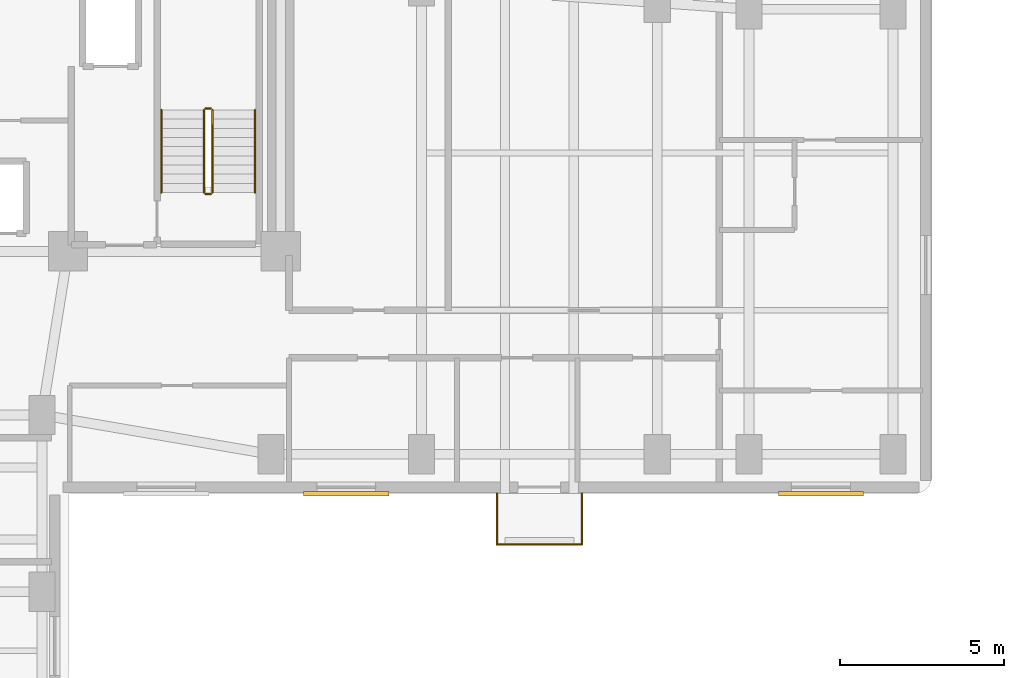
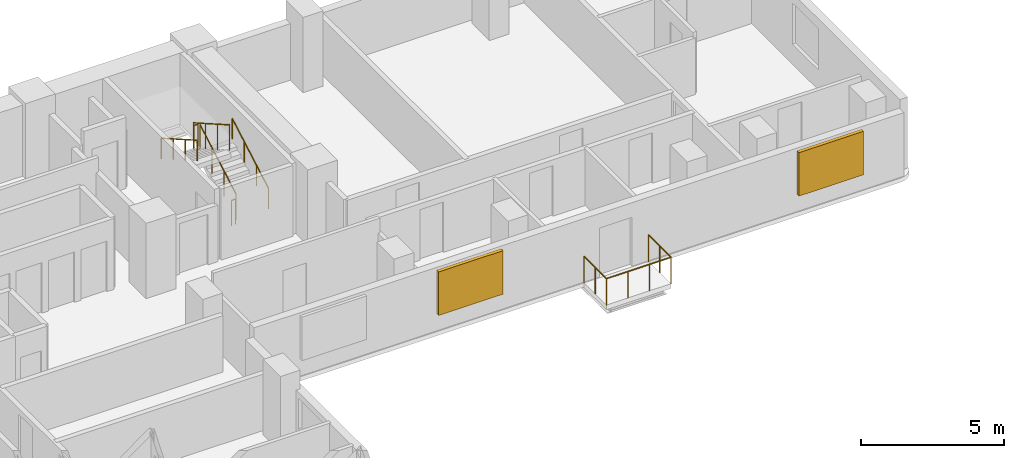
# One storey, part 8 of 9: 9 railings, 2 shading devices.
"""IFC4 building model written with IfcOpenShell, lengths in metres."""

from ifc_helpers import new_model, si_unit, direction, frame, origin, origin_2d, place, context, subcontext, project, spatial, rectangle, circle, extrude, material, layer, layer_set, type_object, element, save


model = new_model("IFC4")

# Units and contexts
model_context = context("Model", 3, precision=1e-05, world=origin(), true_north=direction((0.0, 1.0)))
body_context = subcontext(model_context, "Body", "Model", "MODEL_VIEW")
ifc_project = project(units=[si_unit("LENGTHUNIT", "METRE"), si_unit("AREAUNIT", "SQUARE_METRE"), si_unit("VOLUMEUNIT", "CUBIC_METRE"), si_unit("PLANEANGLEUNIT", "RADIAN"), si_unit("MASSUNIT", "GRAM", prefix="KILO")], contexts=[model_context])

# Site, building, storey
site_placement = place(None, origin())
site = spatial("IfcSite", under=ifc_project, at=site_placement, CompositionType="ELEMENT")
building_placement = place(site_placement, origin())
building = spatial("IfcBuilding", under=site, at=building_placement, Name="Kuzgunbayir Cultural Tower", CompositionType="ELEMENT")
storey_placement = place(building_placement, frame((0.0, 0.0, 89.800048828125)))
storey = spatial("IfcBuildingStorey", under=building, at=storey_placement, Name="L25", CompositionType="ELEMENT", Elevation=89.800048828125)

# Railings
ifc_material_1 = material(Name="Laminated Glass and Stainless Steel", Category="steel")
ifc_layer_1 = layer(ifc_material_1, 0.080078125)
ifc_layer_set_1 = layer_set([ifc_layer_1], Name="Laminated Glass and Stainless Steel")
railing_type_1 = type_object("IfcRailingType", Name="RLG-BAL-115", PredefinedType="BALUSTRADE", material=ifc_layer_set_1)
railing_1_placement = place(storey_placement, frame((33.5, 26.39990234375, 0.0)))
element("IfcRailing", 1, at=railing_1_placement, inside=storey, type_object=railing_type_1, Name="L25 Balcony Guard BAL-L25-WB2 Segment 1", PredefinedType="BALUSTRADE", context=body_context, shape_type="SweptSolid", body=[
    extrude(circle(Radius=0.02392578125, at=origin_2d()), frame((0.0, 0.0, 1.1259765625), z_axis=(0.0, -1.0, 0.0), x_axis=(1.0, 0.0, 0.0)), (0.0, 0.0, 1.0), 1.559814453125),
    extrude(circle(Radius=0.02099609375, at=origin_2d()), origin(), (0.0, 0.0, 1.0), 1.101806640625),
    extrude(circle(Radius=0.02099609375, at=origin_2d()), frame((0.0, -0.77978515625, 0.0)), (0.0, 0.0, 1.0), 1.101806640625),
    extrude(circle(Radius=0.02099609375, at=origin_2d()), frame((0.0, -1.559814453125, 0.0)), (0.0, 0.0, 1.0), 1.101806640625),
])
railing_2_placement = place(storey_placement, frame((33.5, 24.840087890625, 0.0)))
element("IfcRailing", 2, at=railing_2_placement, inside=storey, type_object=railing_type_1, Name="L25 Balcony Guard BAL-L25-WB2 Segment 2", PredefinedType="BALUSTRADE", context=body_context, shape_type="SweptSolid", body=[
    extrude(circle(Radius=0.02392578125, at=origin_2d()), frame((0.0, 0.0, 1.1259765625), z_axis=(1.0, 0.0, 0.0), x_axis=(0.0, 1.0, 0.0)), (0.0, 0.0, 1.0), 2.60009765625),
    extrude(circle(Radius=0.02099609375, at=origin_2d()), origin(), (0.0, 0.0, 1.0), 1.101806640625),
    extrude(circle(Radius=0.02099609375, at=origin_2d()), frame((0.86669921875, 0.0, 0.0)), (0.0, 0.0, 1.0), 1.101806640625),
    extrude(circle(Radius=0.02099609375, at=origin_2d()), frame((1.7333984375, 0.0, 0.0)), (0.0, 0.0, 1.0), 1.101806640625),
    extrude(circle(Radius=0.02099609375, at=origin_2d()), frame((2.60009765625, 0.0, 0.0)), (0.0, 0.0, 1.0), 1.101806640625),
])
railing_3_placement = place(storey_placement, frame((36.10009765625, 24.840087890625, 0.0)))
element("IfcRailing", 3, at=railing_3_placement, inside=storey, type_object=railing_type_1, Name="L25 Balcony Guard BAL-L25-WB2 Segment 3", PredefinedType="BALUSTRADE", context=body_context, shape_type="SweptSolid", body=[
    extrude(circle(Radius=0.02392578125, at=origin_2d()), frame((0.0, 0.0, 1.1259765625), z_axis=(0.0, 1.0, 0.0), x_axis=(-1.0, 0.0, 0.0)), (0.0, 0.0, 1.0), 1.559814453125),
    extrude(circle(Radius=0.02099609375, at=origin_2d()), origin(), (0.0, 0.0, 1.0), 1.101806640625),
    extrude(circle(Radius=0.02099609375, at=origin_2d()), frame((0.0, 0.77978515625, 0.0)), (0.0, 0.0, 1.0), 1.101806640625),
    extrude(circle(Radius=0.02099609375, at=origin_2d()), frame((0.0, 1.559814453125, 0.0)), (0.0, 0.0, 1.0), 1.101806640625),
])
ifc_material_2 = material(Name="Brushed Stainless Steel", Category="steel")
ifc_layer_2 = layer(ifc_material_2, 0.050048828125)
ifc_layer_set_2 = layer_set([ifc_layer_2], Name="Brushed Stainless Steel")
railing_type_2 = type_object("IfcRailingType", Name="RLG-STAIR-HANDRAIL", PredefinedType="HANDRAIL", material=ifc_layer_set_2)
railing_4_placement = place(storey_placement, frame((26.110107421875, 35.60009765625, 0.159912109375)))
element("IfcRailing", 4, at=railing_4_placement, inside=storey, type_object=railing_type_2, Name="L25 ST-2 stair handrail 1", PredefinedType="HANDRAIL", context=body_context, shape_type="SweptSolid", body=[
    extrude(circle(Radius=0.02392578125, at=origin_2d()), frame((0.0, 0.0, 0.8759765625), z_axis=(0.0, 0.868253494771, 0.496120820787), x_axis=(-1.0, 0.0, 0.0)), (0.0, 0.0, 1.0), 2.90234375),
    extrude(circle(Radius=0.02099609375, at=origin_2d()), origin(), (0.0, 0.0, 1.0), 0.851806640625),
    extrude(circle(Radius=0.02099609375, at=origin_2d()), frame((0.0, 0.840087890625, 0.47998046875)), (0.0, 0.0, 1.0), 0.851806640625),
    extrude(circle(Radius=0.02099609375, at=origin_2d()), frame((0.0, 1.679931640625, 0.9599609375)), (0.0, 0.0, 1.0), 0.851806640625),
    extrude(circle(Radius=0.02099609375, at=origin_2d()), frame((0.0, 2.52001953125, 1.43994140625)), (0.0, 0.0, 1.0), 0.851806640625),
])
railing_5_placement = place(storey_placement, frame((23.25, 38.1201171875, 1.760009765625)))
element("IfcRailing", 5, at=railing_5_placement, inside=storey, type_object=railing_type_2, Name="L25 ST-2 stair handrail 2", PredefinedType="HANDRAIL", context=body_context, shape_type="SweptSolid", body=[
    extrude(circle(Radius=0.02392578125, at=origin_2d()), frame((0.0, 0.0, 0.8759765625), z_axis=(0.0, -0.868253494771, 0.496120820787), x_axis=(1.0, 0.0, 0.0)), (0.0, 0.0, 1.0), 2.90234375),
    extrude(circle(Radius=0.02099609375, at=origin_2d()), origin(), (0.0, 0.0, 1.0), 0.851806640625),
    extrude(circle(Radius=0.02099609375, at=origin_2d()), frame((0.0, -0.840087890625, 0.47998046875)), (0.0, 0.0, 1.0), 0.851806640625),
    extrude(circle(Radius=0.02099609375, at=origin_2d()), frame((0.0, -1.679931640625, 0.9599609375)), (0.0, 0.0, 1.0), 0.851806640625),
    extrude(circle(Radius=0.02099609375, at=origin_2d()), frame((0.0, -2.52001953125, 1.43994140625)), (0.0, 0.0, 1.0), 0.851806640625),
])
ifc_material_3 = material(Name="Painted Steel Balustrade", Category="steel")
ifc_layer_3 = layer(ifc_material_3, 0.06005859375)
ifc_layer_set_3 = layer_set([ifc_layer_3], Name="Painted Steel Balustrade")
railing_type_3 = type_object("IfcRailingType", Name="RLG-WELL-GUARD", PredefinedType="GUARDRAIL", material=ifc_layer_set_3)
railing_6_placement = place(storey_placement, frame((24.81005859375, 35.60009765625, 0.159912109375)))
element("IfcRailing", 6, at=railing_6_placement, inside=storey, type_object=railing_type_3, Name="L25 ST-2 stair guard 1", PredefinedType="GUARDRAIL", context=body_context, shape_type="SweptSolid", body=[
    extrude(circle(Radius=0.02392578125, at=origin_2d()), frame((0.0, 0.0, 1.076171875), z_axis=(0.0, 0.868253494771, 0.496120820787), x_axis=(-1.0, 0.0, 0.0)), (0.0, 0.0, 1.0), 2.90234375),
    extrude(circle(Radius=0.02099609375, at=origin_2d()), origin(), (0.0, 0.0, 1.0), 1.052001953125),
    extrude(circle(Radius=0.02099609375, at=origin_2d()), frame((0.0, 0.840087890625, 0.47998046875)), (0.0, 0.0, 1.0), 1.052001953125),
    extrude(circle(Radius=0.02099609375, at=origin_2d()), frame((0.0, 1.679931640625, 0.9599609375)), (0.0, 0.0, 1.0), 1.052001953125),
    extrude(circle(Radius=0.02099609375, at=origin_2d()), frame((0.0, 2.52001953125, 1.43994140625)), (0.0, 0.0, 1.0), 1.052001953125),
])
railing_7_placement = place(storey_placement, frame((24.760009765625, 38.169921875, 1.599853515625)))
element("IfcRailing", 7, at=railing_7_placement, inside=storey, type_object=railing_type_3, Name="L25 ST-2 stair guard 2", PredefinedType="GUARDRAIL", context=body_context, shape_type="SweptSolid", body=[
    extrude(circle(Radius=0.02392578125, at=origin_2d()), frame((0.0, 0.0, 1.076171875), z_axis=(-1.0, 0.0, 0.0), x_axis=(0.0, -1.0, 0.0)), (0.0, 0.0, 1.0), 0.159912109375),
    extrude(circle(Radius=0.02099609375, at=origin_2d()), origin(), (0.0, 0.0, 1.0), 1.052001953125),
    extrude(circle(Radius=0.02099609375, at=origin_2d()), frame((-0.159912109375, 0.0, 0.0)), (0.0, 0.0, 1.0), 1.052001953125),
])
railing_8_placement = place(storey_placement, frame((24.550048828125, 38.1201171875, 1.760009765625)))
element("IfcRailing", 8, at=railing_8_placement, inside=storey, type_object=railing_type_3, Name="L25 ST-2 stair guard 3", PredefinedType="GUARDRAIL", context=body_context, shape_type="SweptSolid", body=[
    extrude(circle(Radius=0.02392578125, at=origin_2d()), frame((0.0, 0.0, 1.076171875), z_axis=(0.0, -0.868253494771, 0.496120820787), x_axis=(1.0, 0.0, 0.0)), (0.0, 0.0, 1.0), 2.90234375),
    extrude(circle(Radius=0.02099609375, at=origin_2d()), origin(), (0.0, 0.0, 1.0), 1.052001953125),
    extrude(circle(Radius=0.02099609375, at=origin_2d()), frame((0.0, -0.840087890625, 0.47998046875)), (0.0, 0.0, 1.0), 1.052001953125),
    extrude(circle(Radius=0.02099609375, at=origin_2d()), frame((0.0, -1.679931640625, 0.9599609375)), (0.0, 0.0, 1.0), 1.052001953125),
    extrude(circle(Radius=0.02099609375, at=origin_2d()), frame((0.0, -2.52001953125, 1.43994140625)), (0.0, 0.0, 1.0), 1.052001953125),
])
railing_9_placement = place(storey_placement, frame((24.760009765625, 35.550048828125, 0.0)))
element("IfcRailing", 9, at=railing_9_placement, inside=storey, type_object=railing_type_3, Name="L25 ST-2 stair guard 4", PredefinedType="GUARDRAIL", context=body_context, shape_type="SweptSolid", body=[
    extrude(circle(Radius=0.02392578125, at=origin_2d()), frame((0.0, 0.0, 1.076171875), z_axis=(-1.0, 0.0, 0.0), x_axis=(0.0, -1.0, 0.0)), (0.0, 0.0, 1.0), 0.159912109375),
    extrude(circle(Radius=0.02099609375, at=origin_2d()), origin(), (0.0, 0.0, 1.0), 1.052001953125),
    extrude(circle(Radius=0.02099609375, at=origin_2d()), frame((-0.159912109375, 0.0, 0.0)), (0.0, 0.0, 1.0), 1.052001953125),
])

# Shading devices
ifc_material_4 = material(Name="Perforated Bronze-Anodised Aluminium", Category="aluminium")
shading_device_type = type_object("IfcShadingDeviceType", Name="SHD-SOLAR-BRONZE", PredefinedType="JALOUSIE", material=ifc_material_4)
for number, where, z_axis, x_axis, name in (
    (10, (28.89990234375, 26.389892578125, 0.724853515625), (0.0, 0.0, 1.0), (1.0, 0.0, 0.0), "L25 Solar Screen WBS10"),
    (11, (43.39990234375, 26.389892578125, 0.724853515625), (0.0, 0.0, 1.0), (1.0, 0.0, 0.0), "L25 Solar Screen WBS11"),
):
    element("IfcShadingDevice", number, at=place(storey_placement, frame(where, z_axis=z_axis, x_axis=x_axis)), inside=storey, type_object=shading_device_type, Name=name, PredefinedType="JALOUSIE", context=body_context, shape_type="SweptSolid", body=[
        extrude(rectangle(XDim=2.60009765625, YDim=0.139892578125, at=origin_2d()), origin(), (0.0, 0.0, 1.0), 1.85009765625),
    ])

save(model, "model.ifc")
